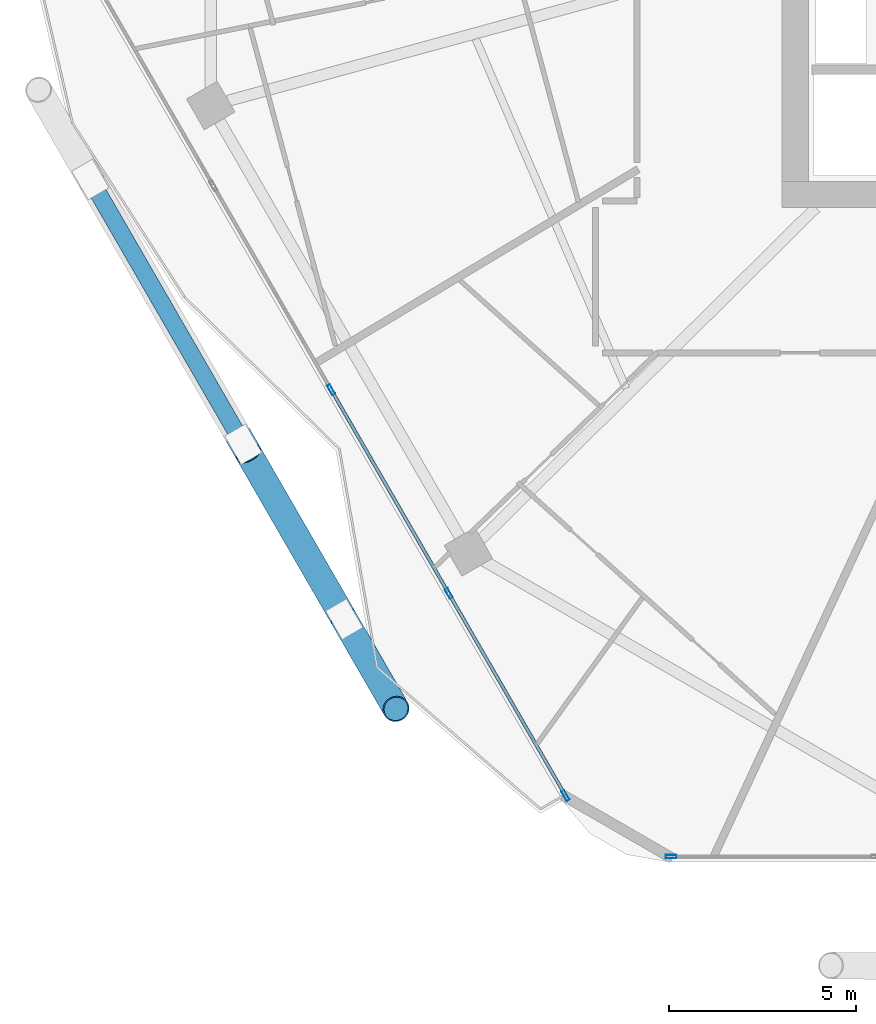
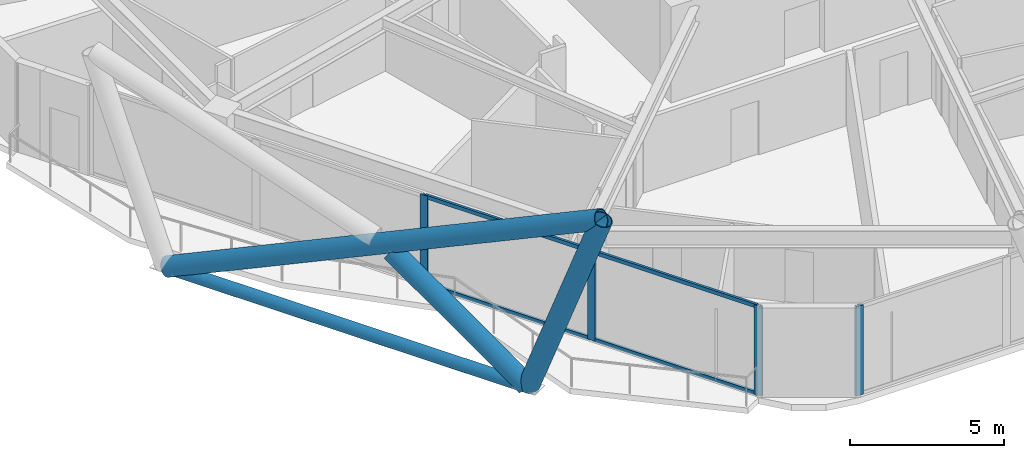
# One storey, part 2 of 27: 12 members, 2 elements without a shape of their own.
"""IFC4 building model written with IfcOpenShell, lengths in metres."""

from ifc_helpers import new_model, si_unit, direction, frame, origin, origin_2d, place, context, subcontext, project, spatial, hollow_rectangle, hollow_circle, extrude, material, material_profile, profile_set, type_object, element, aggregate, save


model = new_model("IFC4")

# Units and contexts
model_context = context("Model", 3, precision=1e-05, world=origin(), true_north=direction((0.0, 1.0)))
body_context = subcontext(model_context, "Body", "Model", "MODEL_VIEW")
ifc_project = project(units=[si_unit("LENGTHUNIT", "METRE"), si_unit("AREAUNIT", "SQUARE_METRE"), si_unit("VOLUMEUNIT", "CUBIC_METRE"), si_unit("PLANEANGLEUNIT", "RADIAN"), si_unit("MASSUNIT", "GRAM", prefix="KILO")], contexts=[model_context])

# Site, building, storey
site_placement = place(None, origin())
site = spatial("IfcSite", under=ifc_project, at=site_placement, CompositionType="ELEMENT")
building_placement = place(site_placement, origin())
building = spatial("IfcBuilding", under=site, at=building_placement, Name="Zuhravey Tower", CompositionType="ELEMENT")
storey_placement = place(building_placement, frame((0.0, 0.0, 215.0)))
storey = spatial("IfcBuildingStorey", under=building, at=storey_placement, Name="L54", CompositionType="ELEMENT", Elevation=215.0)

# Curtain wall, member
ifc_material_1 = material(Name="Thermally broken anodised aluminium", Category="aluminium")
curtain_wall_type = type_object("IfcCurtainWallType", Name="Zone 1-2 Residential Curtain Wall CW3", PredefinedType="NOTDEFINED", material=ifc_material_1)
curtain_wall_1_placement = place(storey_placement, origin())
curtain_wall_1 = element("IfcCurtainWall", 1, at=curtain_wall_1_placement, inside=storey, type_object=curtain_wall_type, Name="L54 CW3 CW-L54-F5-1", PredefinedType="NOTDEFINED")
ifc_material_2 = material(Name="Anodised aluminium", Category="aluminium")
ifc_material_profile_1 = material_profile(ifc_material_2, hollow_rectangle(XDim=0.090087890625, YDim=0.284912109375, WallThickness=0.0048828125, at=origin_2d()), Name="ALU-RHS-90x285x5")
ifc_profile_set_1 = profile_set([ifc_material_profile_1], Name="Anodised aluminium")
member_type_1 = type_object("IfcMemberType", Name="Curtain-Wall Mullion 90x180", PredefinedType="MULLION", material=ifc_profile_set_1)
member_1_placement = place(storey_placement, frame((22.183837890625, 4.81689453125, 0.0), z_axis=(0.0, 0.0, 1.0), x_axis=(0.0, -1.0, 0.0)))
member_1 = element("IfcMember", 2, at=member_1_placement, type_object=member_type_1, Name="CW3 mullion 6", PredefinedType="MULLION", context=body_context, shape_type="SweptSolid", body=[
    extrude(hollow_rectangle(XDim=0.090087890625, YDim=0.284912109375, WallThickness=0.0048828125, at=origin_2d()), origin(), (0.0, 0.0, 1.0), 3.550048828125),
])
aggregate(curtain_wall_1, [member_1])

# Curtain wall, members
curtain_wall_2_placement = place(storey_placement, origin())
curtain_wall_2 = element("IfcCurtainWall", 3, at=curtain_wall_2_placement, inside=storey, type_object=curtain_wall_type, Name="L54 CW3 CW-L54-F4-1", PredefinedType="NOTDEFINED")
member_2_placement = place(storey_placement, frame((19.36669921875, 6.443359375, 0.0), z_axis=(0.0, 0.0, 1.0), x_axis=(-0.866024349586, -0.50000182592, 0.0)))
member_2 = element("IfcMember", 4, at=member_2_placement, type_object=member_type_1, Name="CW3 mullion 1", PredefinedType="MULLION", context=body_context, shape_type="SweptSolid", body=[
    extrude(hollow_rectangle(XDim=0.090087890625, YDim=0.284912109375, WallThickness=0.0048828125, at=origin_2d()), origin(), (0.0, 0.0, 1.0), 3.550048828125),
])
member_3_placement = place(storey_placement, frame((16.248291015625, 11.844970703125, 0.0), z_axis=(0.0, 0.0, 1.0), x_axis=(-0.866024349586, -0.50000182592, 0.0)))
member_3 = element("IfcMember", 5, at=member_3_placement, type_object=member_type_1, Name="CW3 mullion 2", PredefinedType="MULLION", context=body_context, shape_type="SweptSolid", body=[
    extrude(hollow_rectangle(XDim=0.090087890625, YDim=0.284912109375, WallThickness=0.0048828125, at=origin_2d()), origin(), (0.0, 0.0, 1.0), 3.550048828125),
])
member_4_placement = place(storey_placement, frame((13.107177734375, 17.285400390625, 0.0), z_axis=(0.0, 0.0, 1.0), x_axis=(-0.866024349586, -0.50000182592, 0.0)))
member_4 = element("IfcMember", 6, at=member_4_placement, type_object=member_type_1, Name="CW3 mullion 3", PredefinedType="MULLION", context=body_context, shape_type="SweptSolid", body=[
    extrude(hollow_rectangle(XDim=0.090087890625, YDim=0.284912109375, WallThickness=0.0048828125, at=origin_2d()), origin(), (0.0, 0.0, 1.0), 3.550048828125),
])
ifc_material_profile_2 = material_profile(ifc_material_2, hollow_rectangle(XDim=0.090087890625, YDim=0.14990234375, WallThickness=0.0048828125, at=origin_2d()), Name="ALU-RHS-90x150x5")
ifc_profile_set_2 = profile_set([ifc_material_profile_2], Name="Anodised aluminium")
member_type_2 = type_object("IfcMemberType", Name="Curtain-Wall Transom 90x150", PredefinedType="USERDEFINED", material=ifc_profile_set_2)
member_5_placement = place(storey_placement, frame((19.34423828125, 6.482421875, 0.044921875), z_axis=(-0.499996347438, 0.866027512582, 0.0), x_axis=(-0.866027512582, -0.499996347438, 0.0)))
member_5 = element("IfcMember", 7, at=member_5_placement, type_object=member_type_2, Name="CW3 transom 1.1", ObjectType="TRANSOM", PredefinedType="USERDEFINED", context=body_context, shape_type="SweptSolid", body=[
    extrude(hollow_rectangle(XDim=0.090087890625, YDim=0.14990234375, WallThickness=0.0048828125, at=origin_2d()), origin(), (0.0, 0.0, 1.0), 6.14697265625),
])
member_6_placement = place(storey_placement, frame((19.34423828125, 6.482421875, 3.5048828125), z_axis=(-0.499996347438, 0.866027512582, 0.0), x_axis=(-0.866027512582, -0.499996347438, 0.0)))
member_6 = element("IfcMember", 8, at=member_6_placement, type_object=member_type_2, Name="CW3 transom 1.2", ObjectType="TRANSOM", PredefinedType="USERDEFINED", context=body_context, shape_type="SweptSolid", body=[
    extrude(hollow_rectangle(XDim=0.090087890625, YDim=0.14990234375, WallThickness=0.0048828125, at=origin_2d()), origin(), (0.0, 0.0, 1.0), 6.14697265625),
])
member_7_placement = place(storey_placement, frame((16.225830078125, 11.8837890625, 0.044921875), z_axis=(-0.500014824642, 0.866016844604, 0.0), x_axis=(-0.866016844604, -0.500014824642, 0.0)))
member_7 = element("IfcMember", 9, at=member_7_placement, type_object=member_type_2, Name="CW3 transom 2.1", ObjectType="TRANSOM", PredefinedType="USERDEFINED", context=body_context, shape_type="SweptSolid", body=[
    extrude(hollow_rectangle(XDim=0.090087890625, YDim=0.14990234375, WallThickness=0.0048828125, at=origin_2d()), origin(), (0.0, 0.0, 1.0), 6.192138671875),
])
member_8_placement = place(storey_placement, frame((16.225830078125, 11.8837890625, 3.5048828125), z_axis=(-0.500014824642, 0.866016844604, 0.0), x_axis=(-0.866016844604, -0.500014824642, 0.0)))
member_8 = element("IfcMember", 10, at=member_8_placement, type_object=member_type_2, Name="CW3 transom 2.2", ObjectType="TRANSOM", PredefinedType="USERDEFINED", context=body_context, shape_type="SweptSolid", body=[
    extrude(hollow_rectangle(XDim=0.090087890625, YDim=0.14990234375, WallThickness=0.0048828125, at=origin_2d()), origin(), (0.0, 0.0, 1.0), 6.192138671875),
])
aggregate(curtain_wall_2, [member_2, member_3, member_4, member_5, member_6, member_7, member_8])

# Members
ifc_material_3 = material(Name="Steel SM355", Category="steel")
ifc_material_profile_3 = material_profile(ifc_material_3, hollow_circle(Radius=0.228515625, WallThickness=0.02197265625, at=origin_2d()), Name="CHS-457.2x22")
ifc_profile_set_3 = profile_set([ifc_material_profile_3], Name="Steel SM355")
member_type_3 = type_object("IfcMemberType", Name="Exoskeleton Ring Tie CHS457x22", PredefinedType="CHORD", material=ifc_profile_set_3)
member_9_placement = place(storey_placement, frame((6.748046875, 22.779541015625, -0.464111328125), z_axis=(0.500004091344, -0.866023041633, 0.0), x_axis=(0.866023041633, 0.500004091344, 0.0)))
element("IfcMember", 11, at=member_9_placement, inside=storey, type_object=member_type_3, Name="L54 Exoskeleton Face 4 Tie EXR1", PredefinedType="CHORD", context=body_context, shape_type="SweptSolid", body=[
    extrude(hollow_circle(Radius=0.228515625, WallThickness=0.02197265625, at=origin_2d()), origin(), (0.0, 0.0, 1.0), 13.28173828125),
])
ifc_material_4 = material(Name="Steel SM460", Category="steel")
ifc_material_profile_4 = material_profile(ifc_material_4, hollow_circle(Radius=0.355712890625, WallThickness=0.031982421875, at=origin_2d()), Name="CHS-711.2x32")
ifc_profile_set_4 = profile_set([ifc_material_profile_4], Name="Steel SM460")
member_type_4 = type_object("IfcMemberType", Name="Exoskeleton Zone 2 Diagrid CHS711x32", PredefinedType="BRACE", material=ifc_profile_set_4)
member_10_placement = place(storey_placement, frame((6.699462890625, 22.86376953125, -0.444091796875), z_axis=(0.453338388553, -0.785209877744, 0.421817203724), x_axis=(0.866026715089, 0.499997728747, 0.0)))
element("IfcMember", 12, at=member_10_placement, inside=storey, type_object=member_type_4, Name="L54 Face 4 Diagrid Brace 2", PredefinedType="BRACE", context=body_context, shape_type="SweptSolid", body=[
    extrude(hollow_circle(Radius=0.355712890625, WallThickness=0.031982421875, at=origin_2d()), origin(), (0.0, 0.0, 1.0), 17.922607421875),
])
member_11_placement = place(storey_placement, frame((13.462646484375, 11.149658203125, -0.444091796875), z_axis=(0.171428917165, -0.296929081792, 0.939385568734), x_axis=(0.866029404905, 0.499993069792, 0.0)))
element("IfcMember", 13, at=member_11_placement, inside=storey, type_object=member_type_4, Name="L54 Face 4 Diagrid Brace 4", PredefinedType="BRACE", context=body_context, shape_type="SweptSolid", body=[
    extrude(hollow_circle(Radius=0.355712890625, WallThickness=0.031982421875, at=origin_2d()), origin(), (0.0, 0.0, 1.0), 8.0478515625),
])
member_12_placement = place(storey_placement, frame((13.439697265625, 11.189453125, -0.436767578125), z_axis=(-0.408754040359, 0.707971912813, 0.575930469032), x_axis=(-0.866022084834, -0.500005748546, 0.0)))
element("IfcMember", 14, at=member_12_placement, inside=storey, type_object=member_type_4, Name="L54 Face 4 Split Diagrid Brace 3A", PredefinedType="BRACE", context=body_context, shape_type="SweptSolid", body=[
    extrude(hollow_circle(Radius=0.355712890625, WallThickness=0.031982421875, at=origin_2d()), origin(), (0.0, 0.0, 1.0), 6.205078125),
])

save(model, "model.ifc")
